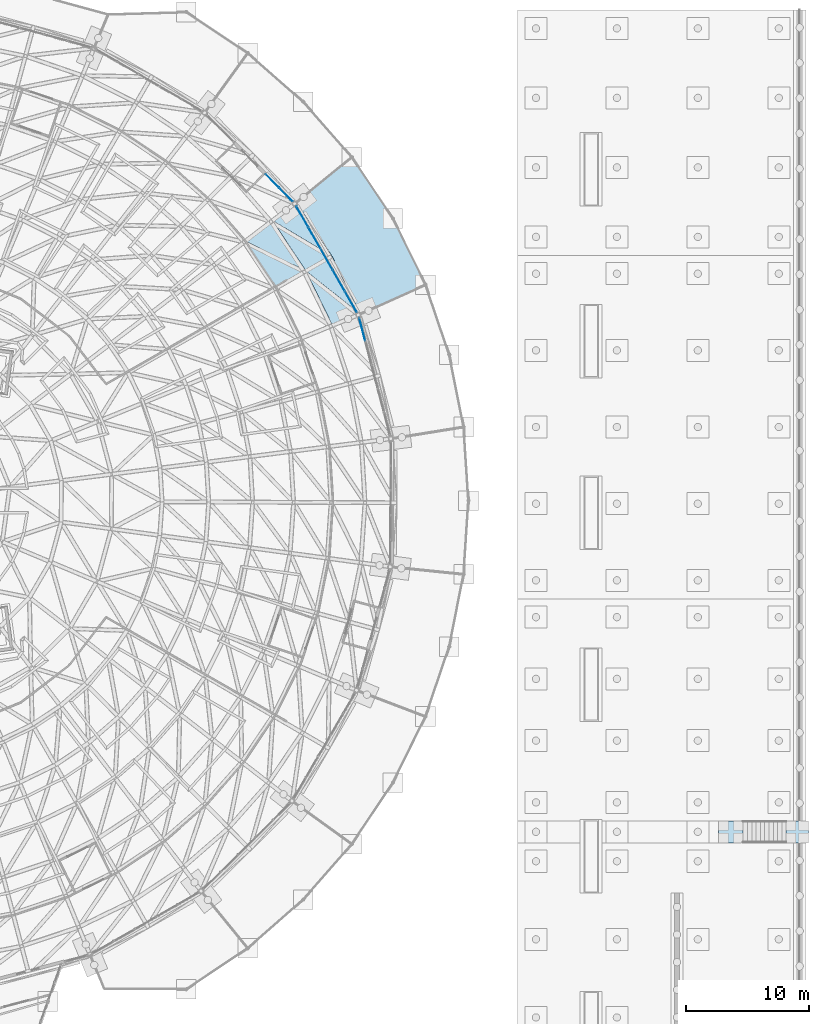
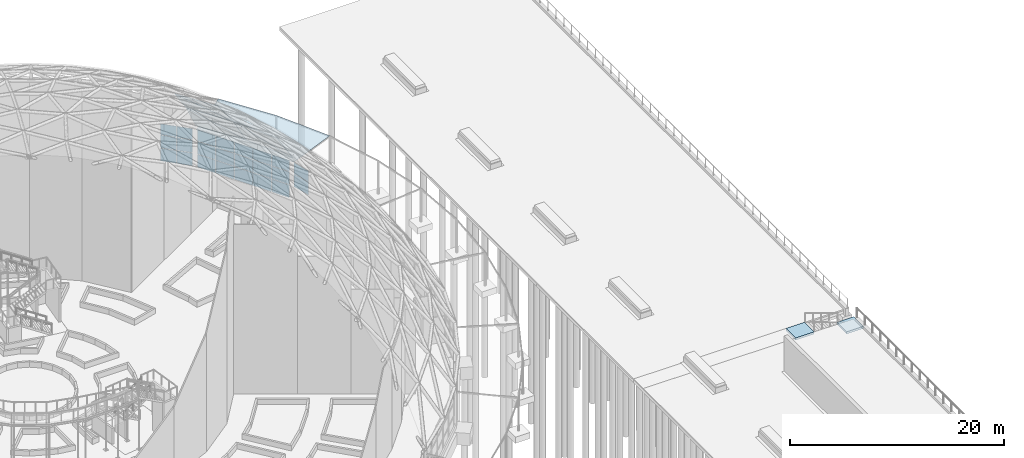
# One storey, part 154 of 226: 30 plates, 2 slabs, 3 elements without a shape of their own.
"""IFC4 building model written with IfcOpenShell, lengths in metres."""

from ifc_helpers import new_model, si_unit, direction, frame, origin, origin_2d, place, context, subcontext, project, spatial, polyline, rectangle, outline, extrude, material, layer, layer_set, type_object, element, aggregate, save


model = new_model("IFC4")

# Units and contexts
model_context = context("Model", 3, precision=1e-05, world=origin(), true_north=direction((0.0, 1.0)))
body_context = subcontext(model_context, "Body", "Model", "MODEL_VIEW")
ifc_project = project(units=[si_unit("LENGTHUNIT", "METRE"), si_unit("AREAUNIT", "SQUARE_METRE"), si_unit("VOLUMEUNIT", "CUBIC_METRE"), si_unit("PLANEANGLEUNIT", "RADIAN"), si_unit("MASSUNIT", "GRAM", prefix="KILO")], contexts=[model_context])

# Site, building, storey
site_placement = place(None, origin())
site = spatial("IfcSite", under=ifc_project, at=site_placement, CompositionType="ELEMENT")
building_placement = place(site_placement, origin())
building = spatial("IfcBuilding", under=site, at=building_placement, Name="Ceibo Conservatory and Research Tower", CompositionType="ELEMENT")
storey_placement = place(building_placement, origin())
storey = spatial("IfcBuildingStorey", under=building, at=storey_placement, Name="L00", CompositionType="ELEMENT", Elevation=0.0)

# Plate
ifc_material_1 = material(Name="Laminated glass", Category="glass")
ifc_layer_1 = layer(ifc_material_1, 0.02490234375)
ifc_layer_set_1 = layer_set([ifc_layer_1], Name="Laminated glass")
plate_type_1 = type_object("IfcPlateType", Name="Canopy glass 25", PredefinedType="SHEET", material=ifc_layer_set_1)
plate_1_placement = place(storey_placement, frame((193.2529296875, 123.24072265625, 4.07275390625), z_axis=(-0.039646933501, -0.022786843129, -0.998953893052), x_axis=(-0.496223370434, 0.868194882834, -0.000109800495)))
element("IfcPlate", 1, at=plate_1_placement, inside=storey, type_object=plate_type_1, Name="Brim canopy plate A-CP02", PredefinedType="SHEET", context=body_context, shape_type="SweptSolid", body=[
    extrude(outline(polyline([(0.0, 0.0), (10.50718947658136, 8.881784197001252e-16), (11.45664044109173, 5.680103444627408), (5.454240860049136, 6.10027370082058), (-0.5515985241540116, 5.7326610735268835), (0.0, 0.0)])), origin(), (0.0, 0.0, 1.0), 0.02490234375),
])

# Curtain wall, plates
ifc_material_2 = material(Name="Aluminium and glass", Category="aluminium")
curtain_wall_type = type_object("IfcCurtainWallType", Name="Drum curtain wall", PredefinedType="NOTDEFINED", material=ifc_material_2)
curtain_wall_1_placement = place(storey_placement, origin())
curtain_wall_1 = element("IfcCurtainWall", 2, at=curtain_wall_1_placement, inside=storey, type_object=curtain_wall_type, Name="Drum curtain wall A-CW01", PredefinedType="NOTDEFINED")
ifc_layer_2 = layer(ifc_material_1, 0.028076171875)
ifc_layer_set_2 = layer_set([ifc_layer_2], Name="Laminated glass")
plate_type_2 = type_object("IfcPlateType", Name="Drum glass 28", PredefinedType="CURTAIN_PANEL", material=ifc_layer_set_2)
plate_2_placement = place(storey_placement, frame((193.332763671875, 121.96435546875, 1.56005859375), z_axis=(0.0, 0.0, 1.0), x_axis=(-0.254601962062, 0.967045935266, 0.0)))
plate_2 = element("IfcPlate", 3, at=plate_2_placement, type_object=plate_type_2, Name="A-CW01 panel 5.2", PredefinedType="CURTAIN_PANEL", context=body_context, shape_type="SweptSolid", body=[
    extrude(rectangle(XDim=1.917236328125, YDim=0.028076171875, at=origin_2d()), origin(), (0.0, 0.0, 1.0), 1.425048828125),
])
plate_3_placement = place(storey_placement, frame((193.332763671875, 121.96435546875, 3.044921875), z_axis=(0.0, 0.0, 1.0), x_axis=(-0.254601962062, 0.967045935266, 0.0)))
plate_3 = element("IfcPlate", 4, at=plate_3_placement, type_object=plate_type_2, Name="A-CW01 panel 5.3", PredefinedType="CURTAIN_PANEL", context=body_context, shape_type="SweptSolid", body=[
    extrude(rectangle(XDim=1.917236328125, YDim=0.028076171875, at=origin_2d()), origin(), (0.0, 0.0, 1.0), 1.233154296875),
])
aggregate(curtain_wall_1, [plate_2, plate_3])

curtain_wall_2_placement = place(storey_placement, origin())
curtain_wall_2 = element("IfcCurtainWall", 5, at=curtain_wall_2_placement, inside=storey, type_object=curtain_wall_type, Name="Drum curtain wall A-CW02", PredefinedType="NOTDEFINED")
plate_4_placement = place(storey_placement, frame((192.415283203125, 124.206787109375, 0.06005859375), z_axis=(0.0, 0.0, 1.0), x_axis=(-0.49621649228, 0.868198821002, 0.0)))
plate_4 = element("IfcPlate", 6, at=plate_4_placement, type_object=plate_type_2, Name="A-CW02 panel 1.1", PredefinedType="CURTAIN_PANEL", context=body_context, shape_type="SweptSolid", body=[
    extrude(rectangle(XDim=1.917236328125, YDim=0.028076171875, at=origin_2d()), origin(), (0.0, 0.0, 1.0), 1.43994140625),
])
plate_5_placement = place(storey_placement, frame((192.415283203125, 124.206787109375, 1.56005859375), z_axis=(0.0, 0.0, 1.0), x_axis=(-0.49621649228, 0.868198821002, 0.0)))
plate_5 = element("IfcPlate", 7, at=plate_5_placement, type_object=plate_type_2, Name="A-CW02 panel 1.2", PredefinedType="CURTAIN_PANEL", context=body_context, shape_type="SweptSolid", body=[
    extrude(rectangle(XDim=1.917236328125, YDim=0.028076171875, at=origin_2d()), origin(), (0.0, 0.0, 1.0), 1.425048828125),
])
plate_6_placement = place(storey_placement, frame((192.415283203125, 124.206787109375, 3.044921875), z_axis=(0.0, 0.0, 1.0), x_axis=(-0.49621649228, 0.868198821002, 0.0)))
plate_6 = element("IfcPlate", 8, at=plate_6_placement, type_object=plate_type_2, Name="A-CW02 panel 1.3", PredefinedType="CURTAIN_PANEL", context=body_context, shape_type="SweptSolid", body=[
    extrude(rectangle(XDim=1.917236328125, YDim=0.028076171875, at=origin_2d()), origin(), (0.0, 0.0, 1.0), 1.233154296875),
])
plate_7_placement = place(storey_placement, frame((191.4267578125, 125.936279296875, 0.06005859375), z_axis=(0.0, 0.0, 1.0), x_axis=(-0.49621649228, 0.868198821002, 0.0)))
plate_7 = element("IfcPlate", 9, at=plate_7_placement, type_object=plate_type_2, Name="A-CW02 panel 2.1", PredefinedType="CURTAIN_PANEL", context=body_context, shape_type="SweptSolid", body=[
    extrude(rectangle(XDim=1.947021484375, YDim=0.028076171875, at=origin_2d()), origin(), (0.0, 0.0, 1.0), 1.43994140625),
])
plate_8_placement = place(storey_placement, frame((191.4267578125, 125.936279296875, 1.56005859375), z_axis=(0.0, 0.0, 1.0), x_axis=(-0.49621649228, 0.868198821002, 0.0)))
plate_8 = element("IfcPlate", 10, at=plate_8_placement, type_object=plate_type_2, Name="A-CW02 panel 2.2", PredefinedType="CURTAIN_PANEL", context=body_context, shape_type="SweptSolid", body=[
    extrude(rectangle(XDim=1.947021484375, YDim=0.028076171875, at=origin_2d()), origin(), (0.0, 0.0, 1.0), 1.425048828125),
])
plate_9_placement = place(storey_placement, frame((191.4267578125, 125.936279296875, 3.044921875), z_axis=(0.0, 0.0, 1.0), x_axis=(-0.49621649228, 0.868198821002, 0.0)))
plate_9 = element("IfcPlate", 11, at=plate_9_placement, type_object=plate_type_2, Name="A-CW02 panel 2.3", PredefinedType="CURTAIN_PANEL", context=body_context, shape_type="SweptSolid", body=[
    extrude(rectangle(XDim=1.947021484375, YDim=0.028076171875, at=origin_2d()), origin(), (0.0, 0.0, 1.0), 1.233154296875),
])
plate_10_placement = place(storey_placement, frame((190.430908203125, 127.678955078125, 0.06005859375), z_axis=(0.0, 0.0, 1.0), x_axis=(-0.49621649228, 0.868198821002, 0.0)))
plate_10 = element("IfcPlate", 12, at=plate_10_placement, type_object=plate_type_2, Name="A-CW02 panel 3.1", PredefinedType="CURTAIN_PANEL", context=body_context, shape_type="SweptSolid", body=[
    extrude(rectangle(XDim=1.947021484375, YDim=0.028076171875, at=origin_2d()), origin(), (0.0, 0.0, 1.0), 1.43994140625),
])
plate_11_placement = place(storey_placement, frame((190.430908203125, 127.678955078125, 1.56005859375), z_axis=(0.0, 0.0, 1.0), x_axis=(-0.49621649228, 0.868198821002, 0.0)))
plate_11 = element("IfcPlate", 13, at=plate_11_placement, type_object=plate_type_2, Name="A-CW02 panel 3.2", PredefinedType="CURTAIN_PANEL", context=body_context, shape_type="SweptSolid", body=[
    extrude(rectangle(XDim=1.947021484375, YDim=0.028076171875, at=origin_2d()), origin(), (0.0, 0.0, 1.0), 1.425048828125),
])
plate_12_placement = place(storey_placement, frame((190.430908203125, 127.678955078125, 3.044921875), z_axis=(0.0, 0.0, 1.0), x_axis=(-0.49621649228, 0.868198821002, 0.0)))
plate_12 = element("IfcPlate", 14, at=plate_12_placement, type_object=plate_type_2, Name="A-CW02 panel 3.3", PredefinedType="CURTAIN_PANEL", context=body_context, shape_type="SweptSolid", body=[
    extrude(rectangle(XDim=1.947021484375, YDim=0.028076171875, at=origin_2d()), origin(), (0.0, 0.0, 1.0), 1.233154296875),
])
plate_13_placement = place(storey_placement, frame((189.434814453125, 129.42138671875, 0.06005859375), z_axis=(0.0, 0.0, 1.0), x_axis=(-0.49621649228, 0.868198821002, 0.0)))
plate_13 = element("IfcPlate", 15, at=plate_13_placement, type_object=plate_type_2, Name="A-CW02 panel 4.1", PredefinedType="CURTAIN_PANEL", context=body_context, shape_type="SweptSolid", body=[
    extrude(rectangle(XDim=1.947021484375, YDim=0.028076171875, at=origin_2d()), origin(), (0.0, 0.0, 1.0), 1.43994140625),
])
plate_14_placement = place(storey_placement, frame((189.434814453125, 129.42138671875, 1.56005859375), z_axis=(0.0, 0.0, 1.0), x_axis=(-0.49621649228, 0.868198821002, 0.0)))
plate_14 = element("IfcPlate", 16, at=plate_14_placement, type_object=plate_type_2, Name="A-CW02 panel 4.2", PredefinedType="CURTAIN_PANEL", context=body_context, shape_type="SweptSolid", body=[
    extrude(rectangle(XDim=1.947021484375, YDim=0.028076171875, at=origin_2d()), origin(), (0.0, 0.0, 1.0), 1.425048828125),
])
plate_15_placement = place(storey_placement, frame((189.434814453125, 129.42138671875, 3.044921875), z_axis=(0.0, 0.0, 1.0), x_axis=(-0.49621649228, 0.868198821002, 0.0)))
plate_15 = element("IfcPlate", 17, at=plate_15_placement, type_object=plate_type_2, Name="A-CW02 panel 4.3", PredefinedType="CURTAIN_PANEL", context=body_context, shape_type="SweptSolid", body=[
    extrude(rectangle(XDim=1.947021484375, YDim=0.028076171875, at=origin_2d()), origin(), (0.0, 0.0, 1.0), 1.233154296875),
])
plate_16_placement = place(storey_placement, frame((188.4462890625, 131.151123046875, 0.06005859375), z_axis=(0.0, 0.0, 1.0), x_axis=(-0.49621649228, 0.868198821002, 0.0)))
plate_16 = element("IfcPlate", 18, at=plate_16_placement, type_object=plate_type_2, Name="A-CW02 panel 5.1", PredefinedType="CURTAIN_PANEL", context=body_context, shape_type="SweptSolid", body=[
    extrude(rectangle(XDim=1.917236328125, YDim=0.028076171875, at=origin_2d()), origin(), (0.0, 0.0, 1.0), 1.43994140625),
])
plate_17_placement = place(storey_placement, frame((188.4462890625, 131.151123046875, 1.56005859375), z_axis=(0.0, 0.0, 1.0), x_axis=(-0.49621649228, 0.868198821002, 0.0)))
plate_17 = element("IfcPlate", 19, at=plate_17_placement, type_object=plate_type_2, Name="A-CW02 panel 5.2", PredefinedType="CURTAIN_PANEL", context=body_context, shape_type="SweptSolid", body=[
    extrude(rectangle(XDim=1.917236328125, YDim=0.028076171875, at=origin_2d()), origin(), (0.0, 0.0, 1.0), 1.425048828125),
])
plate_18_placement = place(storey_placement, frame((188.4462890625, 131.151123046875, 3.044921875), z_axis=(0.0, 0.0, 1.0), x_axis=(-0.49621649228, 0.868198821002, 0.0)))
plate_18 = element("IfcPlate", 20, at=plate_18_placement, type_object=plate_type_2, Name="A-CW02 panel 5.3", PredefinedType="CURTAIN_PANEL", context=body_context, shape_type="SweptSolid", body=[
    extrude(rectangle(XDim=1.917236328125, YDim=0.028076171875, at=origin_2d()), origin(), (0.0, 0.0, 1.0), 1.233154296875),
])
aggregate(curtain_wall_2, [plate_4, plate_5, plate_6, plate_7, plate_8, plate_9, plate_10, plate_11, plate_12, plate_13, plate_14, plate_15, plate_16, plate_17, plate_18])

curtain_wall_3_placement = place(storey_placement, origin())
curtain_wall_3 = element("IfcCurtainWall", 21, at=curtain_wall_3_placement, inside=storey, type_object=curtain_wall_type, Name="Drum curtain wall A-CW03W", PredefinedType="NOTDEFINED")
plate_19_placement = place(storey_placement, frame((187.1201171875, 132.93798828125, 0.06005859375), z_axis=(0.0, 0.0, 1.0), x_axis=(-0.704014749779, 0.71018535052, 0.0)))
plate_19 = element("IfcPlate", 22, at=plate_19_placement, type_object=plate_type_2, Name="A-CW03W panel 1.1", PredefinedType="CURTAIN_PANEL", context=body_context, shape_type="SweptSolid", body=[
    extrude(rectangle(XDim=1.51904296875, YDim=0.028076171875, at=origin_2d()), origin(), (0.0, 0.0, 1.0), 1.43994140625),
])
plate_20_placement = place(storey_placement, frame((187.1201171875, 132.93798828125, 1.56005859375), z_axis=(0.0, 0.0, 1.0), x_axis=(-0.704014749779, 0.71018535052, 0.0)))
plate_20 = element("IfcPlate", 23, at=plate_20_placement, type_object=plate_type_2, Name="A-CW03W panel 1.2", PredefinedType="CURTAIN_PANEL", context=body_context, shape_type="SweptSolid", body=[
    extrude(rectangle(XDim=1.51904296875, YDim=0.028076171875, at=origin_2d()), origin(), (0.0, 0.0, 1.0), 1.425048828125),
])
plate_21_placement = place(storey_placement, frame((187.1201171875, 132.93798828125, 3.044921875), z_axis=(0.0, 0.0, 1.0), x_axis=(-0.704014749779, 0.71018535052, 0.0)))
plate_21 = element("IfcPlate", 24, at=plate_21_placement, type_object=plate_type_2, Name="A-CW03W panel 1.3", PredefinedType="CURTAIN_PANEL", context=body_context, shape_type="SweptSolid", body=[
    extrude(rectangle(XDim=1.51904296875, YDim=0.028076171875, at=origin_2d()), origin(), (0.0, 0.0, 1.0), 1.233154296875),
])
plate_22_placement = place(storey_placement, frame((186.008544921875, 134.059326171875, 0.06005859375), z_axis=(0.0, 0.0, 1.0), x_axis=(-0.704014749779, 0.71018535052, 0.0)))
plate_22 = element("IfcPlate", 25, at=plate_22_placement, type_object=plate_type_2, Name="A-CW03W panel 2.1", PredefinedType="CURTAIN_PANEL", context=body_context, shape_type="SweptSolid", body=[
    extrude(rectangle(XDim=1.51904296875, YDim=0.028076171875, at=origin_2d()), origin(), (0.0, 0.0, 1.0), 1.43994140625),
])
plate_23_placement = place(storey_placement, frame((186.008544921875, 134.059326171875, 1.56005859375), z_axis=(0.0, 0.0, 1.0), x_axis=(-0.704014749779, 0.71018535052, 0.0)))
plate_23 = element("IfcPlate", 26, at=plate_23_placement, type_object=plate_type_2, Name="A-CW03W panel 2.2", PredefinedType="CURTAIN_PANEL", context=body_context, shape_type="SweptSolid", body=[
    extrude(rectangle(XDim=1.51904296875, YDim=0.028076171875, at=origin_2d()), origin(), (0.0, 0.0, 1.0), 1.425048828125),
])
plate_24_placement = place(storey_placement, frame((186.008544921875, 134.059326171875, 3.044921875), z_axis=(0.0, 0.0, 1.0), x_axis=(-0.704014749779, 0.71018535052, 0.0)))
plate_24 = element("IfcPlate", 27, at=plate_24_placement, type_object=plate_type_2, Name="A-CW03W panel 2.3", PredefinedType="CURTAIN_PANEL", context=body_context, shape_type="SweptSolid", body=[
    extrude(rectangle(XDim=1.51904296875, YDim=0.028076171875, at=origin_2d()), origin(), (0.0, 0.0, 1.0), 1.233154296875),
])
aggregate(curtain_wall_3, [plate_19, plate_20, plate_21, plate_22, plate_23, plate_24])

# Plates
ifc_layer_3 = layer(ifc_material_1, 0.035888671875)
ifc_layer_set_3 = layer_set([ifc_layer_3], Name="Laminated glass")
plate_type_3 = type_object("IfcPlateType", Name="Gridshell roof glass 36", PredefinedType="SHEET", material=ifc_layer_set_3)
plate_25_placement = place(storey_placement, frame((193.177001953125, 123.20947265625, 4.601806640625), z_axis=(0.745971097704, 0.363884578057, 0.557776958328), x_axis=(-0.43841997039, 0.898770231796, 0.0)))
element("IfcPlate", 28, at=plate_25_placement, inside=storey, type_object=plate_type_3, Name="Glass panel A-P01-005", PredefinedType="SHEET", context=body_context, shape_type="SweptSolid", body=[
    extrude(outline(polyline([(0.0, 0.0), (5.254575733512763, 0.0), (5.094047725656487, 4.374871571375479), (0.0, 0.0)])), origin(), (0.0, 0.0, -1.0), 0.035888671875),
])
plate_26_placement = place(storey_placement, frame((193.177001953125, 123.20947265625, 4.601806640625), z_axis=(0.745968972597, 0.363867270271, 0.557791091312), x_axis=(-0.659215420982, 0.52250757349, 0.540759525469)))
element("IfcPlate", 29, at=plate_26_placement, inside=storey, type_object=plate_type_3, Name="Glass panel A-P01-006", PredefinedType="SHEET", context=body_context, shape_type="SweptSolid", body=[
    extrude(outline(polyline([(0.0, 0.0), (6.714821181334271, 0.0), (2.9717850009710016, 3.2146593570716235), (0.0, 0.0)])), origin(), (0.0, 0.0, -1.0), 0.035888671875),
])
plate_27_placement = place(storey_placement, frame((190.873291015625, 127.93212890625, 4.601806640625), z_axis=(0.692141464339, 0.45811079424, 0.557740704578), x_axis=(-0.551930578574, 0.833890062559, 0.0)))
element("IfcPlate", 30, at=plate_27_placement, inside=storey, type_object=plate_type_3, Name="Glass panel A-P01-007", PredefinedType="SHEET", context=body_context, shape_type="SweptSolid", body=[
    extrude(outline(polyline([(0.0, 0.0), (5.254107049557908, 0.0), (5.093978905781169, 4.37474316134803), (0.0, 0.0)])), origin(), (0.0, 0.0, -1.0), 0.035888671875),
])
plate_28_placement = place(storey_placement, frame((190.873291015625, 127.93212890625, 4.601806640625), z_axis=(0.692142014895, 0.458047233991, 0.557792221754), x_axis=(-0.721730234864, 0.432056442362, 0.540770467664)))
element("IfcPlate", 31, at=plate_28_placement, inside=storey, type_object=plate_type_3, Name="Glass panel A-P01-008", PredefinedType="SHEET", context=body_context, shape_type="SweptSolid", body=[
    extrude(outline(polyline([(0.0, 0.0), (6.714685310593853, 0.0), (2.9711198412687043, 3.2152320905581755), (0.0, 0.0)])), origin(), (0.0, 0.0, -1.0), 0.035888671875),
])
plate_29_placement = place(storey_placement, frame((188.75048828125, 126.718017578125, 8.23291015625), z_axis=(0.645948438145, 0.427477149235, 0.632466522544), x_axis=(-0.551877020221, 0.833925508995, 0.0)))
element("IfcPlate", 32, at=plate_29_placement, inside=storey, type_object=plate_type_3, Name="Glass panel A-P02-007", PredefinedType="SHEET", context=body_context, shape_type="SweptSolid", body=[
    extrude(outline(polyline([(0.0, 0.0), (4.934774545942167, 0.0), (4.752936345598222, 4.372916135096226), (0.0, 0.0)])), origin(), (0.0, 0.0, -1.0), 0.035888671875),
])
plate_30_placement = place(storey_placement, frame((188.75048828125, 126.718017578125, 8.23291015625), z_axis=(0.645950595466, 0.427599933056, 0.632381313345), x_axis=(-0.763243671891, 0.377369202936, 0.52445360328)))
element("IfcPlate", 33, at=plate_30_placement, inside=storey, type_object=plate_type_3, Name="Glass panel A-P02-008", PredefinedType="SHEET", context=body_context, shape_type="SweptSolid", body=[
    extrude(outline(polyline([(0.0, 0.0), (6.458544683587278, 0.0), (3.0940111564099237, 3.095009580727189), (0.0, 0.0)])), origin(), (0.0, 0.0, -1.0), 0.035888671875),
])

# Slabs
ifc_material_3 = material(Name="Concrete C35/45", Category="concrete")
ifc_layer_4 = layer(ifc_material_3, 0.25)
ifc_layer_set_4 = layer_set([ifc_layer_4], Name="Concrete C35/45")
slab_type_1 = type_object("IfcSlabType", Name="Quay head slab 250", PredefinedType="BASESLAB", material=ifc_layer_set_4)
slab_1_placement = place(storey_placement, frame((0.0, 0.0, -0.25)))
element("IfcSlab", 34, at=slab_1_placement, inside=storey, type_object=slab_type_1, Name="Quay head slab", PredefinedType="BASESLAB", context=body_context, shape_type="SweptSolid", body=[
    extrude(outline(polyline([(222.39990234375, 80.10009765625), (224.39990234375, 80.10009765625), (224.39990234375, 81.89990234375), (222.39990234375, 81.89990234375), (222.39990234375, 80.10009765625)])), origin(), (0.0, 0.0, 1.0), 0.25),
])
ifc_layer_5 = layer(ifc_material_3, 0.25)
ifc_layer_set_5 = layer_set([ifc_layer_5], Name="Concrete C35/45")
slab_type_2 = type_object("IfcSlabType", Name="River steps landing 250", PredefinedType="LANDING", material=ifc_layer_set_5)
slab_2_placement = place(storey_placement, frame((0.0, 0.0, -1.4599609375)))
element("IfcSlab", 35, at=slab_2_placement, inside=storey, type_object=slab_type_2, Name="River steps landing", PredefinedType="LANDING", context=body_context, shape_type="SweptSolid", body=[
    extrude(outline(polyline([(227.89990234375, 80.10009765625), (229.699951171875, 80.10009765625), (229.699951171875, 81.89990234375), (227.89990234375, 81.89990234375), (227.89990234375, 80.10009765625)])), origin(), (0.0, 0.0, 1.0), 0.25),
])

save(model, "model.ifc")
